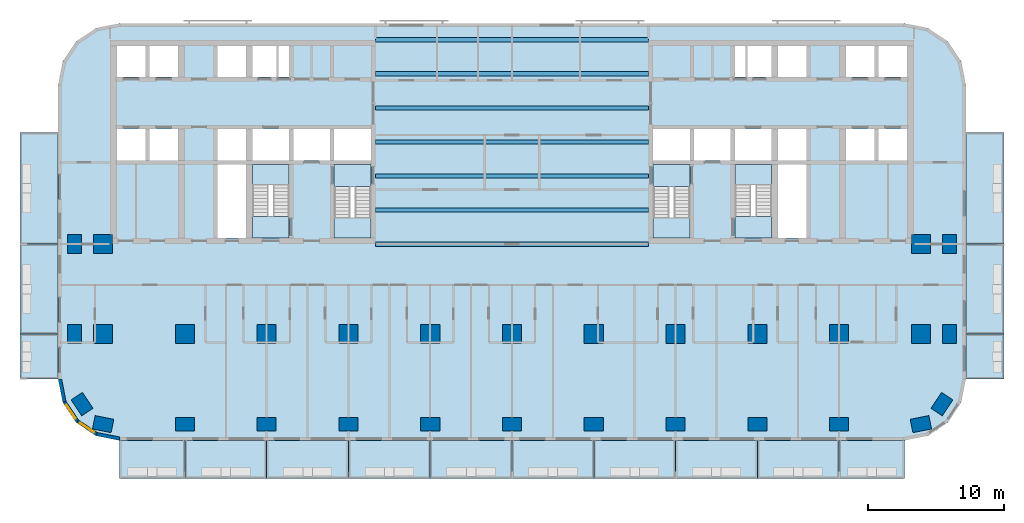
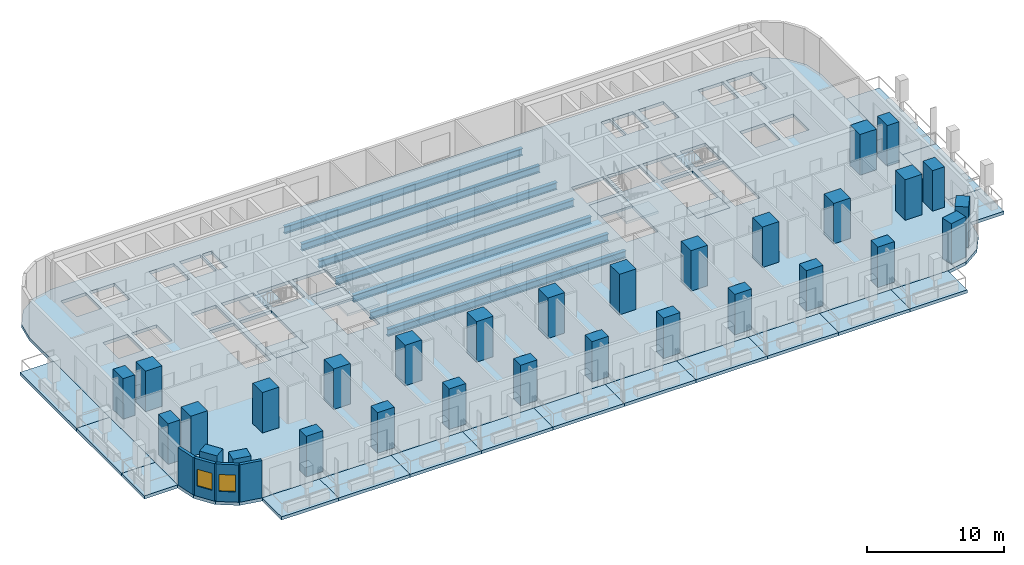
# One storey, part 1 of 14: 30 columns, 25 slabs, 7 beams, 4 walls, 2 windows, 2 openings, 4 elements without a shape of their own.
"""IFC4 building model written with IfcOpenShell, lengths in metres."""

from ifc_helpers import new_model, si_unit, direction, frame, frame_2d, origin, origin_2d, place, context, subcontext, project, spatial, polyline, rectangle, i_section, outline, extrude, material, layer, layer_set, material_profile, profile_set, type_object, element, fill, aggregate, save


model = new_model("IFC4")

# Units and contexts
model_context = context("Model", 3, precision=1e-05, world=origin(), true_north=direction((0.0, 1.0)))
body_context = subcontext(model_context, "Body", "Model", "MODEL_VIEW")
ifc_project = project(units=[si_unit("LENGTHUNIT", "METRE"), si_unit("AREAUNIT", "SQUARE_METRE"), si_unit("VOLUMEUNIT", "CUBIC_METRE"), si_unit("PLANEANGLEUNIT", "RADIAN"), si_unit("MASSUNIT", "GRAM", prefix="KILO")], contexts=[model_context])

# Site, building, storey
site_placement = place(None, origin())
site = spatial("IfcSite", under=ifc_project, at=site_placement, CompositionType="ELEMENT")
building_placement = place(site_placement, origin())
building = spatial("IfcBuilding", under=site, at=building_placement, Name="Torana Hotel and Residences", CompositionType="ELEMENT")
storey_placement = place(building_placement, frame((0.0, 0.0, 38.39990234375)))
storey = spatial("IfcBuildingStorey", under=building, at=storey_placement, Name="L08", CompositionType="ELEMENT", Elevation=38.39990234375)

# Columns
ifc_material_1 = material(Name="Concrete C70/85", Category="concrete")
ifc_material_profile_1 = material_profile(ifc_material_1, rectangle(XDim=1.39990234375, YDim=1.0, at=origin_2d()), Name="RC 1400x1000")
ifc_profile_set_1 = profile_set([ifc_material_profile_1], Name="Concrete C70/85")
column_type_1 = type_object("IfcColumnType", Name="COLUMN RC 1400x1000 C70/85", PredefinedType="COLUMN", material=ifc_profile_set_1)
for number, where, z_axis, x_axis, name in (
    (1, (-32.10009765625, -21.60009765625, 0.0), (0.0, 0.0, 1.0), (0.0, 1.0, 0.0), "Column L08"),
    (2, (-32.10009765625, -15.0, 0.0), (0.0, 0.0, 1.0), (0.0, 1.0, 0.0), "Column L08"),
    (3, (-31.5439453125, -26.73291015625, 0.0), (0.0, 0.0, 1.0), (-0.555584744817, 0.831459915646, 0.0), "Column L08"),
    (4, (-30.0, -28.199951171875, 0.0), (0.0, 0.0, 1.0), (-0.980792089743, 0.195056086032, 0.0), "Column L08"),
    (5, (-24.0, -28.199951171875, 0.0), (0.0, 0.0, 1.0), (1.0, 0.0, 0.0), "Column L08"),
    (6, (-18.0, -28.199951171875, 0.0), (0.0, 0.0, 1.0), (1.0, 0.0, 0.0), "Column L08"),
    (7, (-12.0, -28.199951171875, 0.0), (0.0, 0.0, 1.0), (1.0, 0.0, 0.0), "Column L08"),
    (8, (-6.0, -28.199951171875, 0.0), (0.0, 0.0, 1.0), (1.0, 0.0, 0.0), "Column L08"),
    (9, (0.0, -28.199951171875, 0.0), (0.0, 0.0, 1.0), (1.0, 0.0, 0.0), "Column L08"),
    (10, (6.0, -28.199951171875, 0.0), (0.0, 0.0, 1.0), (1.0, 0.0, 0.0), "Column L08"),
    (11, (12.0, -28.199951171875, 0.0), (0.0, 0.0, 1.0), (1.0, 0.0, 0.0), "Column L08"),
    (12, (18.0, -28.199951171875, 0.0), (0.0, 0.0, 1.0), (1.0, 0.0, 0.0), "Column L08"),
    (13, (24.0, -28.199951171875, 0.0), (0.0, 0.0, 1.0), (1.0, 0.0, 0.0), "Column L08"),
    (14, (30.0, -28.199951171875, 0.0), (0.0, 0.0, 1.0), (0.980792089743, 0.195056086032, 0.0), "Column L08"),
    (15, (31.5439453125, -26.73291015625, 0.0), (0.0, 0.0, 1.0), (0.555584744817, 0.831459915646, 0.0), "Column L08"),
    (16, (32.10009765625, -21.60009765625, 0.0), (0.0, 0.0, 1.0), (0.0, 1.0, 0.0), "Column L08"),
    (17, (32.10009765625, -15.0, 0.0), (0.0, 0.0, 1.0), (0.0, 1.0, 0.0), "Column L08"),
):
    element("IfcColumn", number, at=place(storey_placement, frame(where, z_axis=z_axis, x_axis=x_axis)), inside=storey, type_object=column_type_1, Name=name, PredefinedType="COLUMN", context=body_context, shape_type="SweptSolid", body=[
        extrude(rectangle(XDim=1.39990234375, YDim=1.0, at=origin_2d()), origin(), (0.0, 0.0, 1.0), 3.60009765625),
    ])
ifc_material_2 = material(Name="Concrete C70/85", Category="concrete")
ifc_material_profile_2 = material_profile(ifc_material_2, rectangle(XDim=1.39990234375, YDim=1.39990234375, at=origin_2d()), Name="RC 1400x1400")
ifc_profile_set_2 = profile_set([ifc_material_profile_2], Name="Concrete C70/85")
column_type_2 = type_object("IfcColumnType", Name="COLUMN RC 1400x1400 C70/85", PredefinedType="COLUMN", material=ifc_profile_set_2)
for number, where, z_axis, x_axis, name in (
    (18, (-30.0, -21.60009765625, 0.0), (0.0, 0.0, 1.0), (1.0, 0.0, 0.0), "Column L08"),
    (19, (-30.0, -15.0, 0.0), (0.0, 0.0, 1.0), (1.0, 0.0, 0.0), "Column L08"),
    (20, (-24.0, -21.60009765625, 0.0), (0.0, 0.0, 1.0), (1.0, 0.0, 0.0), "Column L08"),
    (21, (-18.0, -21.60009765625, 0.0), (0.0, 0.0, 1.0), (1.0, 0.0, 0.0), "Column L08"),
    (22, (-12.0, -21.60009765625, 0.0), (0.0, 0.0, 1.0), (1.0, 0.0, 0.0), "Column L08"),
    (23, (-6.0, -21.60009765625, 0.0), (0.0, 0.0, 1.0), (1.0, 0.0, 0.0), "Column L08"),
    (24, (0.0, -21.60009765625, 0.0), (0.0, 0.0, 1.0), (1.0, 0.0, 0.0), "Column L08"),
    (25, (6.0, -21.60009765625, 0.0), (0.0, 0.0, 1.0), (1.0, 0.0, 0.0), "Column L08"),
    (26, (12.0, -21.60009765625, 0.0), (0.0, 0.0, 1.0), (1.0, 0.0, 0.0), "Column L08"),
    (27, (18.0, -21.60009765625, 0.0), (0.0, 0.0, 1.0), (1.0, 0.0, 0.0), "Column L08"),
    (28, (24.0, -21.60009765625, 0.0), (0.0, 0.0, 1.0), (1.0, 0.0, 0.0), "Column L08"),
    (29, (30.0, -21.60009765625, 0.0), (0.0, 0.0, 1.0), (1.0, 0.0, 0.0), "Column L08"),
    (30, (30.0, -15.0, 0.0), (0.0, 0.0, 1.0), (1.0, 0.0, 0.0), "Column L08"),
):
    element("IfcColumn", number, at=place(storey_placement, frame(where, z_axis=z_axis, x_axis=x_axis)), inside=storey, type_object=column_type_2, Name=name, PredefinedType="COLUMN", context=body_context, shape_type="SweptSolid", body=[
        extrude(rectangle(XDim=1.39990234375, YDim=1.39990234375, at=origin_2d()), origin(), (0.0, 0.0, 1.0), 3.60009765625),
    ])

# Beams
ifc_material_3 = material(Name="Steel S355", Category="steel")
ifc_material_profile_3 = material_profile(ifc_material_3, i_section(OverallWidth=0.311279296875, OverallDepth=0.6357421875, WebThickness=0.018310546875, FlangeThickness=0.031494140625, FilletRadius=0.0166015625, at=origin_2d()), Name="610x305x238 UB")
ifc_profile_set_3 = profile_set([ifc_material_profile_3], Name="Steel S355")
beam_type = type_object("IfcBeamType", Name="STEEL GIRDER 610x305x238 UB", PredefinedType="BEAM", material=ifc_profile_set_3)
for number, where, z_axis, x_axis, name in (
    (31, (-10.0, -15.0, -0.597900390625), (1.0, 0.0, 0.0), (0.0, 1.0, 0.0), "Floor girder"),
    (32, (-10.0, -12.5, -0.597900390625), (1.0, 0.0, 0.0), (0.0, 1.0, 0.0), "Floor girder"),
    (33, (-10.0, -10.0, -0.597900390625), (1.0, 0.0, 0.0), (0.0, 1.0, 0.0), "Floor girder"),
    (34, (-10.0, -7.5, -0.597900390625), (1.0, 0.0, 0.0), (0.0, 1.0, 0.0), "Floor girder"),
    (35, (-10.0, -5.0, -0.597900390625), (1.0, 0.0, 0.0), (0.0, 1.0, 0.0), "Floor girder"),
    (36, (-10.0, -2.5, -0.597900390625), (1.0, 0.0, 0.0), (0.0, 1.0, 0.0), "Floor girder"),
    (37, (-10.0, 0.0, -0.597900390625), (1.0, 0.0, 0.0), (0.0, 1.0, 0.0), "Floor girder"),
):
    element("IfcBeam", number, at=place(storey_placement, frame(where, z_axis=z_axis, x_axis=x_axis)), inside=storey, type_object=beam_type, Name=name, PredefinedType="BEAM", context=body_context, shape_type="SweptSolid", body=[
        extrude(i_section(OverallWidth=0.311279296875, OverallDepth=0.6357421875, WebThickness=0.018310546875, FlangeThickness=0.031494140625, FilletRadius=0.0166015625, at=origin_2d()), origin(), (0.0, 0.0, 1.0), 20.0),
    ])

# Slabs
ifc_material_4 = material(Name="Concrete C40/50", Category="concrete")
ifc_layer_1 = layer(ifc_material_4, 0.280029296875)
ifc_layer_set_1 = layer_set([ifc_layer_1], Name="BAL1 BALCONY SLAB 280")
slab_type_1 = type_object("IfcSlabType", Name="BAL1 BALCONY SLAB 280", PredefinedType="USERDEFINED", material=ifc_layer_set_1)
slab_1_placement = place(storey_placement, frame((0.0, 0.0, -0.27978515625)))
element("IfcSlab", 38, at=slab_1_placement, inside=storey, type_object=slab_type_1, Name="Balcony 01", ObjectType="BALCONY", PredefinedType="USERDEFINED", context=body_context, shape_type="SweptSolid", body=[
    extrude(outline(polyline([(-28.800048828125, -32.199951171875), (-24.0, -32.199951171875), (-24.0, -29.39990234375), (-28.800048828125, -29.39990234375), (-28.800048828125, -32.199951171875)])), origin(), (0.0, 0.0, 1.0), 0.27978515625),
])
slab_2_placement = place(storey_placement, frame((0.0, 0.0, -0.27978515625)))
element("IfcSlab", 39, at=slab_2_placement, inside=storey, type_object=slab_type_1, Name="Balcony 02", ObjectType="BALCONY", PredefinedType="USERDEFINED", context=body_context, shape_type="SweptSolid", body=[
    extrude(outline(polyline([(-24.0, -32.199951171875), (-18.0, -32.199951171875), (-18.0, -29.39990234375), (-24.0, -29.39990234375), (-24.0, -32.199951171875)])), origin(), (0.0, 0.0, 1.0), 0.27978515625),
])
slab_3_placement = place(storey_placement, frame((0.0, 0.0, -0.27978515625)))
element("IfcSlab", 40, at=slab_3_placement, inside=storey, type_object=slab_type_1, Name="Balcony 03", ObjectType="BALCONY", PredefinedType="USERDEFINED", context=body_context, shape_type="SweptSolid", body=[
    extrude(outline(polyline([(-18.0, -32.199951171875), (-12.0, -32.199951171875), (-12.0, -29.39990234375), (-18.0, -29.39990234375), (-18.0, -32.199951171875)])), origin(), (0.0, 0.0, 1.0), 0.27978515625),
])
slab_4_placement = place(storey_placement, frame((0.0, 0.0, -0.27978515625)))
element("IfcSlab", 41, at=slab_4_placement, inside=storey, type_object=slab_type_1, Name="Balcony 04", ObjectType="BALCONY", PredefinedType="USERDEFINED", context=body_context, shape_type="SweptSolid", body=[
    extrude(outline(polyline([(-12.0, -32.199951171875), (-6.0, -32.199951171875), (-6.0, -29.39990234375), (-12.0, -29.39990234375), (-12.0, -32.199951171875)])), origin(), (0.0, 0.0, 1.0), 0.27978515625),
])
slab_5_placement = place(storey_placement, frame((0.0, 0.0, -0.27978515625)))
element("IfcSlab", 42, at=slab_5_placement, inside=storey, type_object=slab_type_1, Name="Balcony 05", ObjectType="BALCONY", PredefinedType="USERDEFINED", context=body_context, shape_type="SweptSolid", body=[
    extrude(outline(polyline([(-6.0, -32.199951171875), (0.0, -32.199951171875), (0.0, -29.39990234375), (-6.0, -29.39990234375), (-6.0, -32.199951171875)])), origin(), (0.0, 0.0, 1.0), 0.27978515625),
])
slab_6_placement = place(storey_placement, frame((0.0, 0.0, -0.27978515625)))
element("IfcSlab", 43, at=slab_6_placement, inside=storey, type_object=slab_type_1, Name="Balcony 06", ObjectType="BALCONY", PredefinedType="USERDEFINED", context=body_context, shape_type="SweptSolid", body=[
    extrude(outline(polyline([(0.0, -32.199951171875), (6.0, -32.199951171875), (6.0, -29.39990234375), (0.0, -29.39990234375), (0.0, -32.199951171875)])), origin(), (0.0, 0.0, 1.0), 0.27978515625),
])
slab_7_placement = place(storey_placement, frame((0.0, 0.0, -0.27978515625)))
element("IfcSlab", 44, at=slab_7_placement, inside=storey, type_object=slab_type_1, Name="Balcony 07", ObjectType="BALCONY", PredefinedType="USERDEFINED", context=body_context, shape_type="SweptSolid", body=[
    extrude(outline(polyline([(6.0, -32.199951171875), (12.0, -32.199951171875), (12.0, -29.39990234375), (6.0, -29.39990234375), (6.0, -32.199951171875)])), origin(), (0.0, 0.0, 1.0), 0.27978515625),
])
slab_8_placement = place(storey_placement, frame((0.0, 0.0, -0.27978515625)))
element("IfcSlab", 45, at=slab_8_placement, inside=storey, type_object=slab_type_1, Name="Balcony 08", ObjectType="BALCONY", PredefinedType="USERDEFINED", context=body_context, shape_type="SweptSolid", body=[
    extrude(outline(polyline([(12.0, -32.199951171875), (18.0, -32.199951171875), (18.0, -29.39990234375), (12.0, -29.39990234375), (12.0, -32.199951171875)])), origin(), (0.0, 0.0, 1.0), 0.27978515625),
])
slab_9_placement = place(storey_placement, frame((0.0, 0.0, -0.27978515625)))
element("IfcSlab", 46, at=slab_9_placement, inside=storey, type_object=slab_type_1, Name="Balcony 09", ObjectType="BALCONY", PredefinedType="USERDEFINED", context=body_context, shape_type="SweptSolid", body=[
    extrude(outline(polyline([(18.0, -32.199951171875), (24.0, -32.199951171875), (24.0, -29.39990234375), (18.0, -29.39990234375), (18.0, -32.199951171875)])), origin(), (0.0, 0.0, 1.0), 0.27978515625),
])
slab_10_placement = place(storey_placement, frame((0.0, 0.0, -0.27978515625)))
element("IfcSlab", 47, at=slab_10_placement, inside=storey, type_object=slab_type_1, Name="Balcony 10", ObjectType="BALCONY", PredefinedType="USERDEFINED", context=body_context, shape_type="SweptSolid", body=[
    extrude(outline(polyline([(24.0, -32.199951171875), (28.800048828125, -32.199951171875), (28.800048828125, -29.39990234375), (24.0, -29.39990234375), (24.0, -32.199951171875)])), origin(), (0.0, 0.0, 1.0), 0.27978515625),
])
slab_11_placement = place(storey_placement, frame((0.0, 0.0, -0.27978515625)))
element("IfcSlab", 48, at=slab_11_placement, inside=storey, type_object=slab_type_1, Name="Balcony 11", ObjectType="BALCONY", PredefinedType="USERDEFINED", context=body_context, shape_type="SweptSolid", body=[
    extrude(outline(polyline([(-36.10009765625, -24.89990234375), (-33.300048828125, -24.89990234375), (-33.300048828125, -21.60009765625), (-36.10009765625, -21.60009765625), (-36.10009765625, -24.89990234375)])), origin(), (0.0, 0.0, 1.0), 0.27978515625),
])
slab_12_placement = place(storey_placement, frame((0.0, 0.0, -0.27978515625)))
element("IfcSlab", 49, at=slab_12_placement, inside=storey, type_object=slab_type_1, Name="Balcony 12", ObjectType="BALCONY", PredefinedType="USERDEFINED", context=body_context, shape_type="SweptSolid", body=[
    extrude(outline(polyline([(-36.10009765625, -21.60009765625), (-33.300048828125, -21.60009765625), (-33.300048828125, -15.0), (-36.10009765625, -15.0), (-36.10009765625, -21.60009765625)])), origin(), (0.0, 0.0, 1.0), 0.27978515625),
])
slab_13_placement = place(storey_placement, frame((0.0, 0.0, -0.27978515625)))
element("IfcSlab", 50, at=slab_13_placement, inside=storey, type_object=slab_type_1, Name="Balcony 13", ObjectType="BALCONY", PredefinedType="USERDEFINED", context=body_context, shape_type="SweptSolid", body=[
    extrude(outline(polyline([(-36.10009765625, -15.0), (-33.300048828125, -15.0), (-33.300048828125, -6.800048828125), (-36.10009765625, -6.800048828125), (-36.10009765625, -15.0)])), origin(), (0.0, 0.0, 1.0), 0.27978515625),
])
slab_14_placement = place(storey_placement, frame((0.0, 0.0, -0.27978515625)))
element("IfcSlab", 51, at=slab_14_placement, inside=storey, type_object=slab_type_1, Name="Balcony 14", ObjectType="BALCONY", PredefinedType="USERDEFINED", context=body_context, shape_type="SweptSolid", body=[
    extrude(outline(polyline([(33.300048828125, -24.89990234375), (36.10009765625, -24.89990234375), (36.10009765625, -21.60009765625), (33.300048828125, -21.60009765625), (33.300048828125, -24.89990234375)])), origin(), (0.0, 0.0, 1.0), 0.27978515625),
])
slab_15_placement = place(storey_placement, frame((0.0, 0.0, -0.27978515625)))
element("IfcSlab", 52, at=slab_15_placement, inside=storey, type_object=slab_type_1, Name="Balcony 15", ObjectType="BALCONY", PredefinedType="USERDEFINED", context=body_context, shape_type="SweptSolid", body=[
    extrude(outline(polyline([(33.300048828125, -21.60009765625), (36.10009765625, -21.60009765625), (36.10009765625, -15.0), (33.300048828125, -15.0), (33.300048828125, -21.60009765625)])), origin(), (0.0, 0.0, 1.0), 0.27978515625),
])
slab_16_placement = place(storey_placement, frame((0.0, 0.0, -0.27978515625)))
element("IfcSlab", 53, at=slab_16_placement, inside=storey, type_object=slab_type_1, Name="Balcony 16", ObjectType="BALCONY", PredefinedType="USERDEFINED", context=body_context, shape_type="SweptSolid", body=[
    extrude(outline(polyline([(33.300048828125, -15.0), (36.10009765625, -15.0), (36.10009765625, -6.800048828125), (33.300048828125, -6.800048828125), (33.300048828125, -15.0)])), origin(), (0.0, 0.0, 1.0), 0.27978515625),
])
ifc_material_5 = material(Name="Concrete C40/50", Category="concrete")
ifc_layer_2 = layer(ifc_material_5, 0.280029296875)
ifc_layer_set_2 = layer_set([ifc_layer_2], Name="FLOOR SLAB PT 280")
slab_type_2 = type_object("IfcSlabType", Name="FLOOR SLAB PT 280", PredefinedType="FLOOR", material=ifc_layer_set_2)
slab_17_placement = place(storey_placement, frame((0.0, 0.0, -0.27978515625)))
element("IfcSlab", 54, at=slab_17_placement, inside=storey, type_object=slab_type_2, Name="Floor slab", PredefinedType="FLOOR", context=body_context, shape_type="SweptSolid", body=[
    extrude(outline(polyline([(33.300048828125, -3.300048828125), (32.95751953125, -1.577880859375), (31.98193359375, -0.117919921875), (30.522216796875, 0.857421875), (28.800048828125, 1.199951171875), (-28.800048828125, 1.199951171875), (-30.522216796875, 0.857421875), (-31.98193359375, -0.117919921875), (-32.95751953125, -1.577880859375), (-33.300048828125, -3.300048828125), (-33.300048828125, -24.89990234375), (-32.95751953125, -26.6220703125), (-31.98193359375, -28.08203125), (-30.522216796875, -29.0576171875), (-28.800048828125, -29.39990234375), (28.800048828125, -29.39990234375), (30.522216796875, -29.0576171875), (31.98193359375, -28.08203125), (32.95751953125, -26.6220703125), (33.300048828125, -24.89990234375), (33.300048828125, -3.300048828125)]), holes=[polyline([(-13.050048828125, -14.550048828125), (-10.35009765625, -14.550048828125), (-10.35009765625, -9.14990234375), (-13.050048828125, -9.14990234375), (-13.050048828125, -14.550048828125)]), polyline([(-19.050048828125, -14.550048828125), (-16.35009765625, -14.550048828125), (-16.35009765625, -9.14990234375), (-19.050048828125, -9.14990234375), (-19.050048828125, -14.550048828125)]), polyline([(-17.125, -2.75), (-16.35009765625, -2.75), (-16.35009765625, -0.449951171875), (-17.125, -0.449951171875), (-17.125, -2.75)]), polyline([(-19.050048828125, -2.75), (-17.27490234375, -2.75), (-17.27490234375, -0.449951171875), (-19.050048828125, -0.449951171875), (-19.050048828125, -2.75)]), polyline([(-26.60009765625, -2.75), (-24.5, -2.75), (-24.5, -0.449951171875), (-26.60009765625, -0.449951171875), (-26.60009765625, -2.75)]), polyline([(-29.0, -2.75), (-26.89990234375, -2.75), (-26.89990234375, -0.449951171875), (-29.0, -0.449951171875), (-29.0, -2.75)]), polyline([(-26.60009765625, -8.85009765625), (-24.5, -8.85009765625), (-24.5, -6.550048828125), (-26.60009765625, -6.550048828125), (-26.60009765625, -8.85009765625)]), polyline([(-29.0, -8.85009765625), (-26.89990234375, -8.85009765625), (-26.89990234375, -6.550048828125), (-29.0, -6.550048828125), (-29.0, -8.85009765625)]), polyline([(-21.60009765625, -2.75), (-19.5, -2.75), (-19.5, -0.449951171875), (-21.60009765625, -0.449951171875), (-21.60009765625, -2.75)]), polyline([(-21.60009765625, -8.85009765625), (-19.5, -8.85009765625), (-19.5, -6.550048828125), (-21.60009765625, -6.550048828125), (-21.60009765625, -8.85009765625)]), polyline([(-13.050048828125, -8.85009765625), (-10.35009765625, -8.85009765625), (-10.35009765625, -6.550048828125), (-13.050048828125, -6.550048828125), (-13.050048828125, -8.85009765625)]), polyline([(-16.050048828125, -8.85009765625), (-13.35009765625, -8.85009765625), (-13.35009765625, -6.550048828125), (-16.050048828125, -6.550048828125), (-16.050048828125, -8.85009765625)]), polyline([(-19.050048828125, -8.85009765625), (-16.35009765625, -8.85009765625), (-16.35009765625, -6.550048828125), (-19.050048828125, -6.550048828125), (-19.050048828125, -8.85009765625)]), polyline([(-21.60009765625, -14.550048828125), (-19.5, -14.550048828125), (-19.5, -9.14990234375), (-21.60009765625, -9.14990234375), (-21.60009765625, -14.550048828125)]), polyline([(10.35009765625, -14.550048828125), (13.050048828125, -14.550048828125), (13.050048828125, -9.14990234375), (10.35009765625, -9.14990234375), (10.35009765625, -14.550048828125)]), polyline([(16.35009765625, -14.550048828125), (19.050048828125, -14.550048828125), (19.050048828125, -9.14990234375), (16.35009765625, -9.14990234375), (16.35009765625, -14.550048828125)]), polyline([(16.35009765625, -2.75), (17.125, -2.75), (17.125, -0.449951171875), (16.35009765625, -0.449951171875), (16.35009765625, -2.75)]), polyline([(17.27490234375, -2.75), (19.050048828125, -2.75), (19.050048828125, -0.449951171875), (17.27490234375, -0.449951171875), (17.27490234375, -2.75)]), polyline([(24.5, -2.75), (26.60009765625, -2.75), (26.60009765625, -0.449951171875), (24.5, -0.449951171875), (24.5, -2.75)]), polyline([(26.89990234375, -2.75), (29.0, -2.75), (29.0, -0.449951171875), (26.89990234375, -0.449951171875), (26.89990234375, -2.75)]), polyline([(24.5, -8.85009765625), (26.60009765625, -8.85009765625), (26.60009765625, -6.550048828125), (24.5, -6.550048828125), (24.5, -8.85009765625)]), polyline([(26.89990234375, -8.85009765625), (29.0, -8.85009765625), (29.0, -6.550048828125), (26.89990234375, -6.550048828125), (26.89990234375, -8.85009765625)]), polyline([(19.5, -2.75), (21.60009765625, -2.75), (21.60009765625, -0.449951171875), (19.5, -0.449951171875), (19.5, -2.75)]), polyline([(19.5, -8.85009765625), (21.60009765625, -8.85009765625), (21.60009765625, -6.550048828125), (19.5, -6.550048828125), (19.5, -8.85009765625)]), polyline([(10.35009765625, -8.85009765625), (13.050048828125, -8.85009765625), (13.050048828125, -6.550048828125), (10.35009765625, -6.550048828125), (10.35009765625, -8.85009765625)]), polyline([(13.35009765625, -8.85009765625), (16.050048828125, -8.85009765625), (16.050048828125, -6.550048828125), (13.35009765625, -6.550048828125), (13.35009765625, -8.85009765625)]), polyline([(16.35009765625, -8.85009765625), (19.050048828125, -8.85009765625), (19.050048828125, -6.550048828125), (16.35009765625, -6.550048828125), (16.35009765625, -8.85009765625)]), polyline([(19.5, -14.550048828125), (21.60009765625, -14.550048828125), (21.60009765625, -9.14990234375), (19.5, -9.14990234375), (19.5, -14.550048828125)])]), origin(), (0.0, 0.0, 1.0), 0.27978515625),
])

# Stair, slabs
ifc_material_6 = material(Name="Concrete C40/50 precast", Category="concrete")
stair_type_1 = type_object("IfcStairType", Name="STAIR ST1 HALF TURN 1200", PredefinedType="HALF_TURN_STAIR", material=ifc_material_6)
stair_1_placement = place(storey_placement, origin())
stair_1 = element("IfcStair", 55, at=stair_1_placement, inside=storey, type_object=stair_type_1, Name="Stair ST1 L08", PredefinedType="HALF_TURN_STAIR")
ifc_material_7 = material(Name="Concrete C40/50 precast", Category="concrete")
ifc_layer_3 = layer(ifc_material_7, 0.199951171875)
ifc_layer_set_3 = layer_set([ifc_layer_3], Name="STAIR LANDING 200")
slab_type_3 = type_object("IfcSlabType", Name="STAIR LANDING 200", PredefinedType="LANDING", material=ifc_layer_set_3)
slab_18_placement = place(storey_placement, frame((0.0, 0.0, 1.60009765625)))
slab_18 = element("IfcSlab", 56, at=slab_18_placement, type_object=slab_type_3, Name="ST1 landing 1", PredefinedType="LANDING", context=body_context, shape_type="SweptSolid", body=[
    extrude(outline(polyline([(-13.050048828125, -14.550048828125), (-10.35009765625, -14.550048828125), (-10.35009765625, -13.090087890625), (-13.050048828125, -13.090087890625), (-13.050048828125, -14.550048828125)])), origin(), (0.0, 0.0, 1.0), 0.199951171875),
])
slab_19_placement = place(storey_placement, frame((0.0, 0.0, -0.199951171875)))
slab_19 = element("IfcSlab", 57, at=slab_19_placement, type_object=slab_type_3, Name="ST1 landing 2", PredefinedType="LANDING", context=body_context, shape_type="SweptSolid", body=[
    extrude(outline(polyline([(-13.050048828125, -10.75), (-10.35009765625, -10.75), (-10.35009765625, -9.14990234375), (-13.050048828125, -9.14990234375), (-13.050048828125, -10.75)])), origin(), (0.0, 0.0, 1.0), 0.199951171875),
])
aggregate(stair_1, [slab_18, slab_19])

ifc_material_8 = material(Name="Concrete C40/50 precast", Category="concrete")
stair_type_2 = type_object("IfcStairType", Name="STAIR ST2 HALF TURN 1200", PredefinedType="HALF_TURN_STAIR", material=ifc_material_8)
stair_2_placement = place(storey_placement, origin())
stair_2 = element("IfcStair", 58, at=stair_2_placement, inside=storey, type_object=stair_type_2, Name="Stair ST2 L08", PredefinedType="HALF_TURN_STAIR")
slab_20_placement = place(storey_placement, frame((0.0, 0.0, 1.60009765625)))
slab_20 = element("IfcSlab", 59, at=slab_20_placement, type_object=slab_type_3, Name="ST2 landing 1", PredefinedType="LANDING", context=body_context, shape_type="SweptSolid", body=[
    extrude(outline(polyline([(-19.050048828125, -10.610107421875), (-16.35009765625, -10.610107421875), (-16.35009765625, -9.14990234375), (-19.050048828125, -9.14990234375), (-19.050048828125, -10.610107421875)])), origin(), (0.0, 0.0, 1.0), 0.199951171875),
])
slab_21_placement = place(storey_placement, frame((0.0, 0.0, -0.199951171875)))
slab_21 = element("IfcSlab", 60, at=slab_21_placement, type_object=slab_type_3, Name="ST2 landing 2", PredefinedType="LANDING", context=body_context, shape_type="SweptSolid", body=[
    extrude(outline(polyline([(-19.050048828125, -14.550048828125), (-16.35009765625, -14.550048828125), (-16.35009765625, -12.949951171875), (-19.050048828125, -12.949951171875), (-19.050048828125, -14.550048828125)])), origin(), (0.0, 0.0, 1.0), 0.199951171875),
])
aggregate(stair_2, [slab_20, slab_21])

ifc_material_9 = material(Name="Concrete C40/50 precast", Category="concrete")
stair_type_3 = type_object("IfcStairType", Name="STAIR ST3 HALF TURN 1200", PredefinedType="HALF_TURN_STAIR", material=ifc_material_9)
stair_3_placement = place(storey_placement, origin())
stair_3 = element("IfcStair", 61, at=stair_3_placement, inside=storey, type_object=stair_type_3, Name="Stair ST3 L08", PredefinedType="HALF_TURN_STAIR")
slab_22_placement = place(storey_placement, frame((0.0, 0.0, 1.60009765625)))
slab_22 = element("IfcSlab", 62, at=slab_22_placement, type_object=slab_type_3, Name="ST3 landing 1", PredefinedType="LANDING", context=body_context, shape_type="SweptSolid", body=[
    extrude(outline(polyline([(10.35009765625, -14.550048828125), (13.050048828125, -14.550048828125), (13.050048828125, -13.090087890625), (10.35009765625, -13.090087890625), (10.35009765625, -14.550048828125)])), origin(), (0.0, 0.0, 1.0), 0.199951171875),
])
slab_23_placement = place(storey_placement, frame((0.0, 0.0, -0.199951171875)))
slab_23 = element("IfcSlab", 63, at=slab_23_placement, type_object=slab_type_3, Name="ST3 landing 2", PredefinedType="LANDING", context=body_context, shape_type="SweptSolid", body=[
    extrude(outline(polyline([(10.35009765625, -10.75), (13.050048828125, -10.75), (13.050048828125, -9.14990234375), (10.35009765625, -9.14990234375), (10.35009765625, -10.75)])), origin(), (0.0, 0.0, 1.0), 0.199951171875),
])
aggregate(stair_3, [slab_22, slab_23])

ifc_material_10 = material(Name="Concrete C40/50 precast", Category="concrete")
stair_type_4 = type_object("IfcStairType", Name="STAIR ST4 HALF TURN 1200", PredefinedType="HALF_TURN_STAIR", material=ifc_material_10)
stair_4_placement = place(storey_placement, origin())
stair_4 = element("IfcStair", 64, at=stair_4_placement, inside=storey, type_object=stair_type_4, Name="Stair ST4 L08", PredefinedType="HALF_TURN_STAIR")
slab_24_placement = place(storey_placement, frame((0.0, 0.0, 1.60009765625)))
slab_24 = element("IfcSlab", 65, at=slab_24_placement, type_object=slab_type_3, Name="ST4 landing 1", PredefinedType="LANDING", context=body_context, shape_type="SweptSolid", body=[
    extrude(outline(polyline([(16.35009765625, -10.610107421875), (19.050048828125, -10.610107421875), (19.050048828125, -9.14990234375), (16.35009765625, -9.14990234375), (16.35009765625, -10.610107421875)])), origin(), (0.0, 0.0, 1.0), 0.199951171875),
])
slab_25_placement = place(storey_placement, frame((0.0, 0.0, -0.199951171875)))
slab_25 = element("IfcSlab", 66, at=slab_25_placement, type_object=slab_type_3, Name="ST4 landing 2", PredefinedType="LANDING", context=body_context, shape_type="SweptSolid", body=[
    extrude(outline(polyline([(16.35009765625, -14.550048828125), (19.050048828125, -14.550048828125), (19.050048828125, -12.949951171875), (16.35009765625, -12.949951171875), (16.35009765625, -14.550048828125)])), origin(), (0.0, 0.0, 1.0), 0.199951171875),
])
aggregate(stair_4, [slab_24, slab_25])

# Wall
ifc_material_11 = material(Name="Black aluminium composite panel", Category="aluminium")
ifc_layer_4 = layer(ifc_material_11, 0.00390625, Name="Cladding", Category="cladding")
ifc_material_12 = material(Name="Ventilated air cavity")
ifc_layer_5 = layer(ifc_material_12, 0.0400390625, Name="Ventilated cavity", Category="cavity")
ifc_material_13 = material(Name="Mineral wool insulation")
ifc_layer_6 = layer(ifc_material_13, 0.090087890625, Name="Insulation", Category="insulation")
ifc_material_14 = material(Name="Steel S280GD", Category="steel")
ifc_layer_7 = layer(ifc_material_14, 0.092041015625, Name="Steel stud frame", Category="structure")
ifc_material_15 = material(Name="Fire rated plasterboard")
ifc_layer_8 = layer(ifc_material_15, 0.011962890625, Name="Inner board", Category="finish")
ifc_layer_9 = layer(ifc_material_15, 0.011962890625, Name="Second board", Category="finish")
ifc_layer_set_4 = layer_set([ifc_layer_4, ifc_layer_5, ifc_layer_6, ifc_layer_7, ifc_layer_8, ifc_layer_9], Name="EW1 EXTERNAL WALL BLACK METAL CLAD 250")
wall_type = type_object("IfcWallType", Name="EW1 EXTERNAL WALL BLACK METAL CLAD 250", PredefinedType="SOLIDWALL", material=ifc_layer_set_4)
wall_1_placement = place(storey_placement, frame((-33.172607421875, -24.89990234375, 0.0), z_axis=(0.0, 0.0, 1.0), x_axis=(0.195166572128, -0.980770110232, 0.0)))
element("IfcWall", 67, at=wall_1_placement, inside=storey, type_object=wall_type, Name="External wall L08 e0.10", PredefinedType="SOLIDWALL", context=body_context, shape_type="SweptSolid", body=[
    extrude(rectangle(XDim=1.68115234375, YDim=0.25, at=frame_2d((0.840576171875, 0.0))), origin(), (0.0, 0.0, 1.0), 3.320068359375),
])

# Wall, opening, window
wall_2_placement = place(storey_placement, frame((-32.825927734375, -26.593994140625, 0.0), z_axis=(0.0, 0.0, 1.0), x_axis=(0.55555029066, -0.831482937015, 0.0)))
wall_2 = element("IfcWall", 68, at=wall_2_placement, inside=storey, type_object=wall_type, Name="External wall L08 e0.11", PredefinedType="SOLIDWALL", context=body_context, shape_type="SweptSolid", body=[
    extrude(rectangle(XDim=1.65625, YDim=0.25, at=frame_2d((0.828125, 0.0))), origin(), (0.0, 0.0, 1.0), 3.320068359375),
])
opening_1_placement = place(wall_2_placement, frame((0.228271484375, 0.0, 0.89990234375)))
opening_1 = element("IfcOpeningElement", 69, at=opening_1_placement, cuts=wall_2, Name="Opening W5", PredefinedType="OPENING", context=body_context, shape_type="SweptSolid", body=[
    extrude(rectangle(XDim=1.199951171875, YDim=1.5, at=frame_2d((0.60009765625, 0.75))), frame((0.0, 0.135009765625, 0.0), z_axis=(0.0, -1.0, 0.0), x_axis=(1.0, 0.0, 0.0)), (0.0, 0.0, 1.0), 0.27001953125),
])
ifc_material_16 = material(Name="Dark glass in black aluminium frame", Category="aluminium")
window_type = type_object("IfcWindowType", Name="W5 CORNER FACET WINDOW 1200x1500", PartitioningType="SINGLE_PANEL", PredefinedType="WINDOW", material=ifc_material_16)
window_1_placement = place(opening_1_placement, origin())
window_1 = element("IfcWindow", 70, at=window_1_placement, inside=storey, type_object=window_type, Name="Window L08 e0.11", OverallHeight=1.5, OverallWidth=1.199951171875, PartitioningType="SINGLE_PANEL", PredefinedType="WINDOW", context=body_context, shape_type="SweptSolid", body=[
    extrude(rectangle(XDim=1.199951171875, YDim=1.5, at=frame_2d((0.60009765625, 0.75))), frame((0.0, 0.030029296875, 0.0), z_axis=(0.0, -1.0, 0.0), x_axis=(1.0, 0.0, 0.0)), (0.0, 0.0, 1.0), 0.06005859375),
])
fill(opening_1, window_1)

wall_3_placement = place(storey_placement, frame((-31.87109375, -28.005615234375, 0.0), z_axis=(0.0, 0.0, 1.0), x_axis=(0.831482937015, -0.55555029066, 0.0)))
wall_3 = element("IfcWall", 71, at=wall_3_placement, inside=storey, type_object=wall_type, Name="External wall L08 e0.12", PredefinedType="SOLIDWALL", context=body_context, shape_type="SweptSolid", body=[
    extrude(rectangle(XDim=1.65625, YDim=0.25, at=frame_2d((0.828125, 0.0))), origin(), (0.0, 0.0, 1.0), 3.320068359375),
])
opening_2_placement = place(wall_3_placement, frame((0.228271484375, 0.0, 0.89990234375)))
opening_2 = element("IfcOpeningElement", 72, at=opening_2_placement, cuts=wall_3, Name="Opening W5", PredefinedType="OPENING", context=body_context, shape_type="SweptSolid", body=[
    extrude(rectangle(XDim=1.199951171875, YDim=1.5, at=frame_2d((0.60009765625, 0.75))), frame((0.0, 0.135009765625, 0.0), z_axis=(0.0, -1.0, 0.0), x_axis=(1.0, 0.0, 0.0)), (0.0, 0.0, 1.0), 0.27001953125),
])
window_2_placement = place(opening_2_placement, origin())
window_2 = element("IfcWindow", 73, at=window_2_placement, inside=storey, type_object=window_type, Name="Window L08 e0.12", OverallHeight=1.5, OverallWidth=1.199951171875, PartitioningType="SINGLE_PANEL", PredefinedType="WINDOW", context=body_context, shape_type="SweptSolid", body=[
    extrude(rectangle(XDim=1.199951171875, YDim=1.5, at=frame_2d((0.60009765625, 0.75))), frame((0.0, 0.030029296875, 0.0), z_axis=(0.0, -1.0, 0.0), x_axis=(1.0, 0.0, 0.0)), (0.0, 0.0, 1.0), 0.06005859375),
])
fill(opening_2, window_2)

# Wall
wall_4_placement = place(storey_placement, frame((-30.448974609375, -28.944580078125, 0.0), z_axis=(0.0, 0.0, 1.0), x_axis=(0.980775640221, -0.19513878023, 0.0)))
element("IfcWall", 74, at=wall_4_placement, inside=storey, type_object=wall_type, Name="External wall L08 e0.13", PredefinedType="SOLIDWALL", context=body_context, shape_type="SweptSolid", body=[
    extrude(rectangle(XDim=1.681396484375, YDim=0.25, at=frame_2d((0.8408203125, 0.0))), origin(), (0.0, 0.0, 1.0), 3.320068359375),
])

save(model, "model.ifc")
